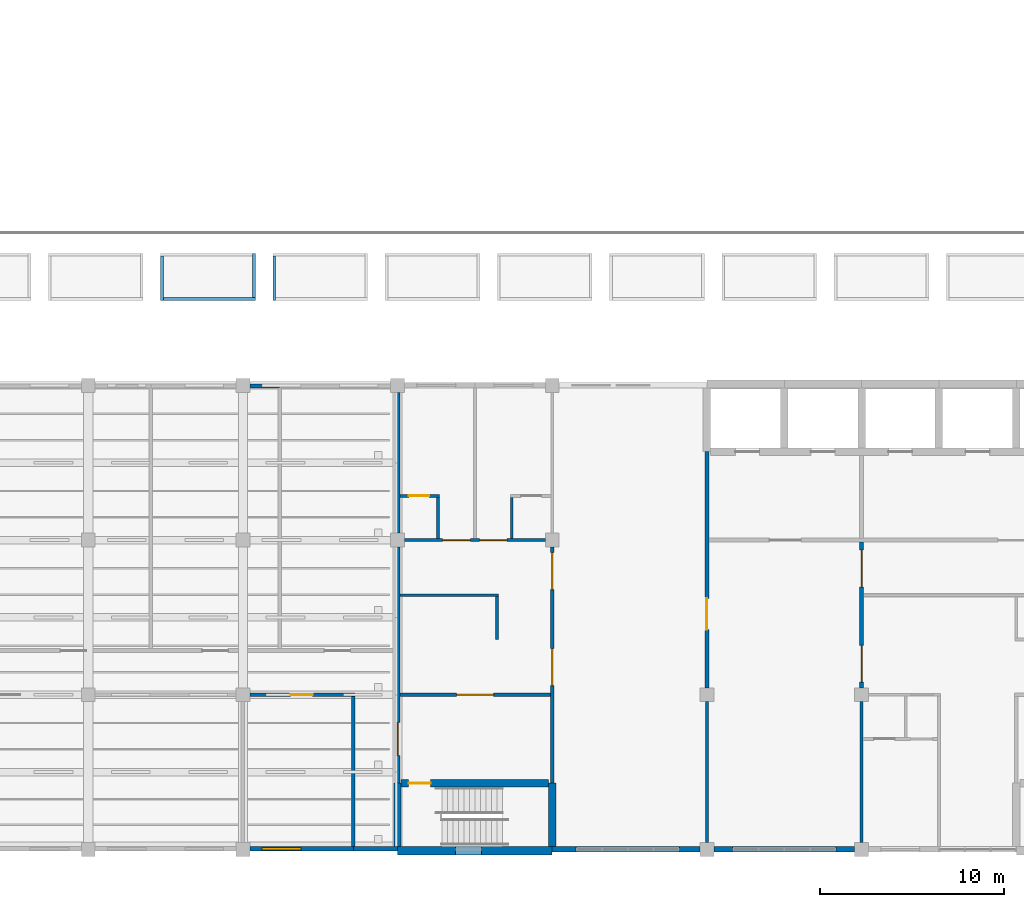
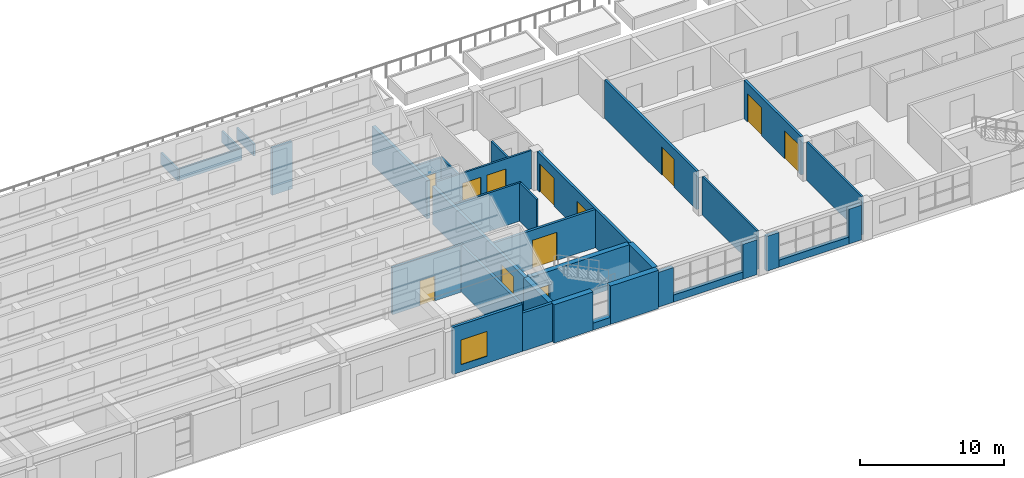
# One storey, part 38 of 61: 35 walls, 12 doors, 1 window, 13 openings.
"""IFC4 building model written with IfcOpenShell, lengths in metres."""

from ifc_helpers import new_model, si_unit, direction, frame, frame_2d, origin, place, context, subcontext, project, spatial, rectangle, extrude, material, layer, layer_set, type_object, element, fill, save


model = new_model("IFC4")

# Units and contexts
model_context = context("Model", 3, precision=1e-05, world=origin(), true_north=direction((0.0, 1.0)))
body_context = subcontext(model_context, "Body", "Model", "MODEL_VIEW")
ifc_project = project(units=[si_unit("LENGTHUNIT", "METRE"), si_unit("AREAUNIT", "SQUARE_METRE"), si_unit("VOLUMEUNIT", "CUBIC_METRE"), si_unit("PLANEANGLEUNIT", "RADIAN"), si_unit("MASSUNIT", "GRAM", prefix="KILO")], contexts=[model_context])

# Site, building, storey
site_placement = place(None, origin())
site = spatial("IfcSite", under=ifc_project, at=site_placement, CompositionType="ELEMENT")
building_placement = place(site_placement, origin())
building = spatial("IfcBuilding", under=site, at=building_placement, Name="Yavir Park General Hospital", CompositionType="ELEMENT")
storey_placement = place(building_placement, frame((0.0, 0.0, 15.300048828125)))
storey = spatial("IfcBuildingStorey", under=building, at=storey_placement, Name="L03", CompositionType="ELEMENT", Elevation=15.300048828125)

# Wall, opening, door
ifc_material_1 = material(Name="Concrete C30/37", Category="concrete")
ifc_layer_1 = layer(ifc_material_1, 0.25)
ifc_layer_set_1 = layer_set([ifc_layer_1], Name="Concrete C30/37")
wall_type_1 = type_object("IfcWallType", Name="Compartment fire wall 250, REI 150", PredefinedType="SOLIDWALL", material=ifc_layer_set_1)
wall_1_placement = place(storey_placement, frame((100.800048828125, 3.60009765625, 0.0), z_axis=(0.0, 0.0, 1.0), x_axis=(0.0, 1.0, 0.0)))
wall_1 = element("IfcWall", 1, at=wall_1_placement, inside=storey, type_object=wall_type_1, Name="FW25 L03-244", PredefinedType="SOLIDWALL", context=body_context, shape_type="SweptSolid", body=[
    extrude(rectangle(XDim=12.824951171875, YDim=0.25, at=frame_2d((6.41259765625, 0.0))), origin(), (0.0, 0.0, 1.0), 3.260009765625),
])
opening_1_placement = place(wall_1_placement, frame((1.5, 0.0, 0.0)))
opening_1 = element("IfcOpeningElement", 2, at=opening_1_placement, cuts=wall_1, Name="Opening L03.D159", PredefinedType="OPENING", context=body_context, shape_type="SweptSolid", body=[
    extrude(rectangle(XDim=1.800048828125, YDim=2.39990234375, at=frame_2d((0.89990234375, 1.199951171875))), frame((0.0, 0.135009765625, 0.0), z_axis=(0.0, -1.0, 0.0), x_axis=(1.0, 0.0, 0.0)), (0.0, 0.0, 1.0), 0.27001953125),
])
ifc_material_2 = material(Name="Steel frame, fire-resisting leaves with vision panels", Category="steel")
door_type_1 = type_object("IfcDoorType", Name="Double fire door with vision panels 1800 x 2400, EI 60", OperationType="DOUBLE_DOOR_SINGLE_SWING", PredefinedType="DOOR", material=ifc_material_2)
door_1_placement = place(opening_1_placement, origin())
door_1 = element("IfcDoor", 3, at=door_1_placement, inside=storey, type_object=door_type_1, Name="L03.D159", OperationType="SINGLE_SWING_RIGHT", OverallHeight=2.39990234375, OverallWidth=1.800048828125, PredefinedType="DOOR", context=body_context, shape_type="SweptSolid", body=[
    extrude(rectangle(XDim=1.800048828125, YDim=2.39990234375, at=frame_2d((0.89990234375, 1.199951171875))), frame((0.0, 0.030029296875, 0.0), z_axis=(0.0, -1.0, 0.0), x_axis=(1.0, 0.0, 0.0)), (0.0, 0.0, 1.0), 0.06005859375),
])
fill(opening_1, door_1)

# Wall
wall_2_placement = place(storey_placement, frame((100.800048828125, 17.175048828125, 0.0), z_axis=(0.0, 0.0, 1.0), x_axis=(0.0, 1.0, 0.0)))
element("IfcWall", 4, at=wall_2_placement, inside=storey, type_object=wall_type_1, Name="FW25 L03-245", PredefinedType="SOLIDWALL", context=body_context, shape_type="SweptSolid", body=[
    extrude(rectangle(XDim=7.64990234375, YDim=0.25, at=frame_2d((3.824951171875, 0.0))), origin(), (0.0, 0.0, 1.0), 3.260009765625),
])

# Wall, opening, door
ifc_material_3 = material(Name="Double gypsum board fire partition on steel studs", Category="steel")
ifc_layer_2 = layer(ifc_material_3, 0.199951171875)
ifc_layer_set_2 = layer_set([ifc_layer_2], Name="Double gypsum board fire partition on steel studs")
wall_type_2 = type_object("IfcWallType", Name="Fire-rated partition 200, EI 60", PredefinedType="PARTITIONING", material=ifc_layer_set_2)
wall_3_placement = place(storey_placement, frame((92.77490234375, 8.39990234375, 0.0), z_axis=(0.0, 0.0, 1.0), x_axis=(1.0, 0.0, 0.0)))
wall_3 = element("IfcWall", 5, at=wall_3_placement, inside=storey, type_object=wall_type_2, Name="FP20 L03-022", PredefinedType="PARTITIONING", context=body_context, shape_type="SweptSolid", body=[
    extrude(rectangle(XDim=5.72509765625, YDim=0.199951171875, at=frame_2d((2.862548828125, 0.0))), origin(), (0.0, 0.0, 1.0), 4.0),
])
opening_2_placement = place(wall_3_placement, frame((2.21240234375, 0.0, 0.0)))
opening_2 = element("IfcOpeningElement", 6, at=opening_2_placement, cuts=wall_3, Name="Opening L03.D030", PredefinedType="OPENING", context=body_context, shape_type="SweptSolid", body=[
    extrude(rectangle(XDim=1.199951171875, YDim=2.10009765625, at=frame_2d((0.60009765625, 1.050048828125))), frame((0.0, 0.10986328125, 0.0), z_axis=(0.0, -1.0, 0.0), x_axis=(1.0, 0.0, 0.0)), (0.0, 0.0, 1.0), 0.219970703125),
])
ifc_material_4 = material(Name="Steel frame, fire-resisting timber leaf", Category="steel")
door_type_2 = type_object("IfcDoorType", Name="Fire door 1200 x 2100, EI 60", OperationType="SINGLE_SWING_LEFT", PredefinedType="DOOR", material=ifc_material_4)
door_2_placement = place(opening_2_placement, origin())
door_2 = element("IfcDoor", 7, at=door_2_placement, inside=storey, type_object=door_type_2, Name="L03.D030", OperationType="SINGLE_SWING_RIGHT", OverallHeight=2.10009765625, OverallWidth=1.199951171875, PredefinedType="DOOR", context=body_context, shape_type="SweptSolid", body=[
    extrude(rectangle(XDim=1.199951171875, YDim=2.10009765625, at=frame_2d((0.60009765625, 1.050048828125))), frame((0.0, 0.02490234375, 0.0), z_axis=(0.0, -1.0, 0.0), x_axis=(1.0, 0.0, 0.0)), (0.0, 0.0, 1.0), 0.050048828125),
])
fill(opening_2, door_2)

wall_4_placement = place(storey_placement, frame((100.925048828125, 8.39990234375, 0.0), z_axis=(0.0, 0.0, 1.0), x_axis=(1.0, 0.0, 0.0)))
wall_4 = element("IfcWall", 8, at=wall_4_placement, inside=storey, type_object=wall_type_2, Name="FP20 L03-023", PredefinedType="PARTITIONING", context=body_context, shape_type="SweptSolid", body=[
    extrude(rectangle(XDim=8.175048828125, YDim=0.199951171875, at=frame_2d((4.08740234375, 0.0))), origin(), (0.0, 0.0, 1.0), 3.260009765625),
])
opening_3_placement = place(wall_4_placement, frame((3.08740234375, 0.0, 0.0)))
opening_3 = element("IfcOpeningElement", 9, at=opening_3_placement, cuts=wall_4, Name="Opening L03.D031", PredefinedType="OPENING", context=body_context, shape_type="SweptSolid", body=[
    extrude(rectangle(XDim=2.0, YDim=2.39990234375, at=frame_2d((1.0, 1.199951171875))), frame((0.0, 0.10986328125, 0.0), z_axis=(0.0, -1.0, 0.0), x_axis=(1.0, 0.0, 0.0)), (0.0, 0.0, 1.0), 0.219970703125),
])
ifc_material_5 = material(Name="Steel frame, fire-resisting leaves with vision panels", Category="steel")
door_type_3 = type_object("IfcDoorType", Name="Double fire door with vision panels 2000 x 2400, EI 60", OperationType="DOUBLE_DOOR_SINGLE_SWING", PredefinedType="DOOR", material=ifc_material_5)
door_3_placement = place(opening_3_placement, origin())
door_3 = element("IfcDoor", 10, at=door_3_placement, inside=storey, type_object=door_type_3, Name="L03.D031", OperationType="SINGLE_SWING_LEFT", OverallHeight=2.39990234375, OverallWidth=2.0, PredefinedType="DOOR", context=body_context, shape_type="SweptSolid", body=[
    extrude(rectangle(XDim=2.0, YDim=2.39990234375, at=frame_2d((1.0, 1.199951171875))), frame((0.0, 0.030029296875, 0.0), z_axis=(0.0, -1.0, 0.0), x_axis=(1.0, 0.0, 0.0)), (0.0, 0.0, 1.0), 0.06005859375),
])
fill(opening_3, door_3)

# Wall
wall_5_placement = place(storey_placement, frame((98.39990234375, 0.14990234375, 0.0), z_axis=(0.0, 0.0, 1.0), x_axis=(0.0, 1.0, 0.0)))
element("IfcWall", 11, at=wall_5_placement, inside=storey, type_object=wall_type_2, Name="FP20 L03-242", PredefinedType="PARTITIONING", context=body_context, shape_type="SweptSolid", body=[
    extrude(rectangle(XDim=8.150146484375, YDim=0.199951171875, at=frame_2d((4.0751953125, 0.0))), origin(), (0.0, 0.0, 1.0), 4.0),
])

# Wall, openings, doors
wall_6_placement = place(storey_placement, frame((109.199951171875, 3.60009765625, 0.0), z_axis=(0.0, 0.0, 1.0), x_axis=(0.0, 1.0, 0.0)))
wall_6 = element("IfcWall", 12, at=wall_6_placement, inside=storey, type_object=wall_type_2, Name="FP20 L03-251", PredefinedType="PARTITIONING", context=body_context, shape_type="SweptSolid", body=[
    extrude(rectangle(XDim=12.824951171875, YDim=0.199951171875, at=frame_2d((6.41259765625, 0.0))), origin(), (0.0, 0.0, 1.0), 3.260009765625),
])
opening_4_placement = place(wall_6_placement, frame((5.300048828125, 0.0, 0.0)))
opening_4 = element("IfcOpeningElement", 13, at=opening_4_placement, cuts=wall_6, Name="Opening L03.D160", PredefinedType="OPENING", context=body_context, shape_type="SweptSolid", body=[
    extrude(rectangle(XDim=2.0, YDim=2.39990234375, at=frame_2d((1.0, 1.199951171875))), frame((0.0, 0.10986328125, 0.0), z_axis=(0.0, -1.0, 0.0), x_axis=(1.0, 0.0, 0.0)), (0.0, 0.0, 1.0), 0.219970703125),
])
opening_5_placement = place(wall_6_placement, frame((10.512451171875, 0.0, 0.0)))
opening_5 = element("IfcOpeningElement", 14, at=opening_5_placement, cuts=wall_6, Name="Opening L03.D161", PredefinedType="OPENING", context=body_context, shape_type="SweptSolid", body=[
    extrude(rectangle(XDim=2.0, YDim=2.39990234375, at=frame_2d((1.0, 1.199951171875))), frame((0.0, 0.10986328125, 0.0), z_axis=(0.0, -1.0, 0.0), x_axis=(1.0, 0.0, 0.0)), (0.0, 0.0, 1.0), 0.219970703125),
])
door_4_placement = place(opening_4_placement, origin())
door_4 = element("IfcDoor", 15, at=door_4_placement, inside=storey, type_object=door_type_3, Name="L03.D160", OperationType="SINGLE_SWING_RIGHT", OverallHeight=2.39990234375, OverallWidth=2.0, PredefinedType="DOOR", context=body_context, shape_type="SweptSolid", body=[
    extrude(rectangle(XDim=2.0, YDim=2.39990234375, at=frame_2d((1.0, 1.199951171875))), frame((0.0, 0.030029296875, 0.0), z_axis=(0.0, -1.0, 0.0), x_axis=(1.0, 0.0, 0.0)), (0.0, 0.0, 1.0), 0.06005859375),
])
fill(opening_4, door_4)
door_5_placement = place(opening_5_placement, origin())
door_5 = element("IfcDoor", 16, at=door_5_placement, inside=storey, type_object=door_type_3, Name="L03.D161", OperationType="SINGLE_SWING_RIGHT", OverallHeight=2.39990234375, OverallWidth=2.0, PredefinedType="DOOR", context=body_context, shape_type="SweptSolid", body=[
    extrude(rectangle(XDim=2.0, YDim=2.39990234375, at=frame_2d((1.0, 1.199951171875))), frame((0.0, 0.030029296875, 0.0), z_axis=(0.0, -1.0, 0.0), x_axis=(1.0, 0.0, 0.0)), (0.0, 0.0, 1.0), 0.06005859375),
])
fill(opening_5, door_5)

# Wall, opening, door
wall_7_placement = place(storey_placement, frame((117.60009765625, 8.77490234375, 0.0), z_axis=(0.0, 0.0, 1.0), x_axis=(0.0, 1.0, 0.0)))
wall_7 = element("IfcWall", 17, at=wall_7_placement, inside=storey, type_object=wall_type_2, Name="FP20 L03-254", PredefinedType="PARTITIONING", context=body_context, shape_type="SweptSolid", body=[
    extrude(rectangle(XDim=12.8251953125, YDim=0.199951171875, at=frame_2d((6.41259765625, 0.0))), origin(), (0.0, 0.0, 1.0), 3.260009765625),
])
opening_6_placement = place(wall_7_placement, frame((3.16259765625, 0.0, 0.0)))
opening_6 = element("IfcOpeningElement", 18, at=opening_6_placement, cuts=wall_7, Name="Opening L03.D162", PredefinedType="OPENING", context=body_context, shape_type="SweptSolid", body=[
    extrude(rectangle(XDim=1.699951171875, YDim=2.39990234375, at=frame_2d((0.85009765625, 1.199951171875))), frame((0.0, 0.10986328125, 0.0), z_axis=(0.0, -1.0, 0.0), x_axis=(1.0, 0.0, 0.0)), (0.0, 0.0, 1.0), 0.219970703125),
])
ifc_material_6 = material(Name="Steel frame, fire-resisting timber leaves", Category="steel")
door_type_4 = type_object("IfcDoorType", Name="Double fire door 1700 x 2400, EI 60", OperationType="DOUBLE_DOOR_SINGLE_SWING", PredefinedType="DOOR", material=ifc_material_6)
door_6_placement = place(opening_6_placement, origin())
door_6 = element("IfcDoor", 19, at=door_6_placement, inside=storey, type_object=door_type_4, Name="L03.D162", OperationType="SINGLE_SWING_RIGHT", OverallHeight=2.39990234375, OverallWidth=1.699951171875, PredefinedType="DOOR", context=body_context, shape_type="SweptSolid", body=[
    extrude(rectangle(XDim=1.699951171875, YDim=2.39990234375, at=frame_2d((0.85009765625, 1.199951171875))), frame((0.0, 0.02490234375, 0.0), z_axis=(0.0, -1.0, 0.0), x_axis=(1.0, 0.0, 0.0)), (0.0, 0.0, 1.0), 0.050048828125),
])
fill(opening_6, door_6)

# Wall, openings, doors
wall_8_placement = place(storey_placement, frame((126.0, 8.77490234375, 0.0), z_axis=(0.0, 0.0, 1.0), x_axis=(0.0, 1.0, 0.0)))
wall_8 = element("IfcWall", 20, at=wall_8_placement, inside=storey, type_object=wall_type_2, Name="FP20 L03-258", PredefinedType="PARTITIONING", context=body_context, shape_type="SweptSolid", body=[
    extrude(rectangle(XDim=7.925048828125, YDim=0.199951171875, at=frame_2d((3.96240234375, 0.0))), origin(), (0.0, 0.0, 1.0), 3.260009765625),
])
opening_7_placement = place(wall_8_placement, frame((0.3125, 0.0, 0.0)))
opening_7 = element("IfcOpeningElement", 21, at=opening_7_placement, cuts=wall_8, Name="Opening L03.D163", PredefinedType="OPENING", context=body_context, shape_type="SweptSolid", body=[
    extrude(rectangle(XDim=2.0, YDim=2.39990234375, at=frame_2d((1.0, 1.199951171875))), frame((0.0, 0.10986328125, 0.0), z_axis=(0.0, -1.0, 0.0), x_axis=(1.0, 0.0, 0.0)), (0.0, 0.0, 1.0), 0.219970703125),
])
opening_8_placement = place(wall_8_placement, frame((5.47509765625, 0.0, 0.0)))
opening_8 = element("IfcOpeningElement", 22, at=opening_8_placement, cuts=wall_8, Name="Opening L03.D164", PredefinedType="OPENING", context=body_context, shape_type="SweptSolid", body=[
    extrude(rectangle(XDim=2.0, YDim=2.39990234375, at=frame_2d((1.0, 1.199951171875))), frame((0.0, 0.10986328125, 0.0), z_axis=(0.0, -1.0, 0.0), x_axis=(1.0, 0.0, 0.0)), (0.0, 0.0, 1.0), 0.219970703125),
])
door_7_placement = place(opening_7_placement, origin())
door_7 = element("IfcDoor", 23, at=door_7_placement, inside=storey, type_object=door_type_3, Name="L03.D163", OperationType="SINGLE_SWING_LEFT", OverallHeight=2.39990234375, OverallWidth=2.0, PredefinedType="DOOR", context=body_context, shape_type="SweptSolid", body=[
    extrude(rectangle(XDim=2.0, YDim=2.39990234375, at=frame_2d((1.0, 1.199951171875))), frame((0.0, 0.030029296875, 0.0), z_axis=(0.0, -1.0, 0.0), x_axis=(1.0, 0.0, 0.0)), (0.0, 0.0, 1.0), 0.06005859375),
])
fill(opening_7, door_7)
door_8_placement = place(opening_8_placement, origin())
door_8 = element("IfcDoor", 24, at=door_8_placement, inside=storey, type_object=door_type_3, Name="L03.D164", OperationType="SINGLE_SWING_LEFT", OverallHeight=2.39990234375, OverallWidth=2.0, PredefinedType="DOOR", context=body_context, shape_type="SweptSolid", body=[
    extrude(rectangle(XDim=2.0, YDim=2.39990234375, at=frame_2d((1.0, 1.199951171875))), frame((0.0, 0.030029296875, 0.0), z_axis=(0.0, -1.0, 0.0), x_axis=(1.0, 0.0, 0.0)), (0.0, 0.0, 1.0), 0.06005859375),
])
fill(opening_8, door_8)

# Wall
ifc_material_7 = material(Name="Gypsum board partition on steel studs", Category="steel")
ifc_layer_3 = layer(ifc_material_7, 0.14990234375)
ifc_layer_set_3 = layer_set([ifc_layer_3], Name="Gypsum board partition on steel studs")
wall_type_3 = type_object("IfcWallType", Name="Gypsum board partition 150", PredefinedType="PARTITIONING", material=ifc_layer_set_3)
wall_9_placement = place(storey_placement, frame((100.925048828125, 13.800048828125, 0.0), z_axis=(0.0, 0.0, 1.0), x_axis=(1.0, 0.0, 0.0)))
element("IfcWall", 25, at=wall_9_placement, inside=storey, type_object=wall_type_3, Name="P15 L03-037", PredefinedType="PARTITIONING", context=body_context, shape_type="SweptSolid", body=[
    extrude(rectangle(XDim=5.349853515625, YDim=0.14990234375, at=frame_2d((2.6748046875, 0.0))), origin(), (0.0, 0.0, 1.0), 3.260009765625),
])

# Wall, openings, doors
wall_10_placement = place(storey_placement, frame((101.175048828125, 16.800048828125, 0.0), z_axis=(0.0, 0.0, 1.0), x_axis=(1.0, 0.0, 0.0)))
wall_10 = element("IfcWall", 26, at=wall_10_placement, inside=storey, type_object=wall_type_3, Name="P15 L03-045", PredefinedType="PARTITIONING", context=body_context, shape_type="SweptSolid", body=[
    extrude(rectangle(XDim=7.64990234375, YDim=0.14990234375, at=frame_2d((3.824951171875, 0.0))), origin(), (0.0, 0.0, 1.0), 3.260009765625),
])
opening_9_placement = place(wall_10_placement, frame((2.074951171875, 0.0, 0.0)))
opening_9 = element("IfcOpeningElement", 27, at=opening_9_placement, cuts=wall_10, Name="Opening L03.D057", PredefinedType="OPENING", context=body_context, shape_type="SweptSolid", body=[
    extrude(rectangle(XDim=1.5, YDim=2.39990234375, at=frame_2d((0.75, 1.199951171875))), frame((0.0, 0.0849609375, 0.0), z_axis=(0.0, -1.0, 0.0), x_axis=(1.0, 0.0, 0.0)), (0.0, 0.0, 1.0), 0.169921875),
])
opening_10_placement = place(wall_10_placement, frame((4.074951171875, 0.0, 0.0)))
opening_10 = element("IfcOpeningElement", 28, at=opening_10_placement, cuts=wall_10, Name="Opening L03.D058", PredefinedType="OPENING", context=body_context, shape_type="SweptSolid", body=[
    extrude(rectangle(XDim=1.5, YDim=2.39990234375, at=frame_2d((0.75, 1.199951171875))), frame((0.0, 0.0849609375, 0.0), z_axis=(0.0, -1.0, 0.0), x_axis=(1.0, 0.0, 0.0)), (0.0, 0.0, 1.0), 0.169921875),
])
ifc_material_8 = material(Name="Solid-core timber leaves, push plates, kick plates", Category="wood")
door_type_5 = type_object("IfcDoorType", Name="Bed door, unequal leaves 1500 x 2400", OperationType="DOUBLE_DOOR_SINGLE_SWING", PredefinedType="DOOR", material=ifc_material_8)
door_9_placement = place(opening_9_placement, origin())
door_9 = element("IfcDoor", 29, at=door_9_placement, inside=storey, type_object=door_type_5, Name="L03.D057", OperationType="SINGLE_SWING_RIGHT", OverallHeight=2.39990234375, OverallWidth=1.5, PredefinedType="DOOR", context=body_context, shape_type="SweptSolid", body=[
    extrude(rectangle(XDim=1.5, YDim=2.39990234375, at=frame_2d((0.75, 1.199951171875))), frame((0.0, 0.030029296875, 0.0), z_axis=(0.0, -1.0, 0.0), x_axis=(1.0, 0.0, 0.0)), (0.0, 0.0, 1.0), 0.06005859375),
])
fill(opening_9, door_9)
door_10_placement = place(opening_10_placement, origin())
door_10 = element("IfcDoor", 30, at=door_10_placement, inside=storey, type_object=door_type_5, Name="L03.D058", OperationType="SINGLE_SWING_RIGHT", OverallHeight=2.39990234375, OverallWidth=1.5, PredefinedType="DOOR", context=body_context, shape_type="SweptSolid", body=[
    extrude(rectangle(XDim=1.5, YDim=2.39990234375, at=frame_2d((0.75, 1.199951171875))), frame((0.0, 0.030029296875, 0.0), z_axis=(0.0, -1.0, 0.0), x_axis=(1.0, 0.0, 0.0)), (0.0, 0.0, 1.0), 0.06005859375),
])
fill(opening_10, door_10)

# Wall, opening, door
wall_11_placement = place(storey_placement, frame((100.925048828125, 19.199951171875, 0.0), z_axis=(0.0, 0.0, 1.0), x_axis=(1.0, 0.0, 0.0)))
wall_11 = element("IfcWall", 31, at=wall_11_placement, inside=storey, type_object=wall_type_3, Name="P15 L03-053", PredefinedType="PARTITIONING", context=body_context, shape_type="SweptSolid", body=[
    extrude(rectangle(XDim=2.14990234375, YDim=0.14990234375, at=frame_2d((1.074951171875, 0.0))), origin(), (0.0, 0.0, 1.0), 3.260009765625),
])
opening_11_placement = place(wall_11_placement, frame((0.487548828125, 0.0, 0.0)))
opening_11 = element("IfcOpeningElement", 32, at=opening_11_placement, cuts=wall_11, Name="Opening L03.D066", PredefinedType="OPENING", context=body_context, shape_type="SweptSolid", body=[
    extrude(rectangle(XDim=1.10009765625, YDim=2.10009765625, at=frame_2d((0.550048828125, 1.050048828125))), frame((0.0, 0.0849609375, 0.0), z_axis=(0.0, -1.0, 0.0), x_axis=(1.0, 0.0, 0.0)), (0.0, 0.0, 1.0), 0.169921875),
])
ifc_material_9 = material(Name="Hollow metal frame, solid-core timber leaf", Category="wood")
door_type_6 = type_object("IfcDoorType", Name="Single swing door 1100 x 2100", OperationType="SINGLE_SWING_LEFT", PredefinedType="DOOR", material=ifc_material_9)
door_11_placement = place(opening_11_placement, origin())
door_11 = element("IfcDoor", 33, at=door_11_placement, inside=storey, type_object=door_type_6, Name="L03.D066", OperationType="SINGLE_SWING_RIGHT", OverallHeight=2.10009765625, OverallWidth=1.10009765625, PredefinedType="DOOR", context=body_context, shape_type="SweptSolid", body=[
    extrude(rectangle(XDim=1.10009765625, YDim=2.10009765625, at=frame_2d((0.550048828125, 1.050048828125))), frame((0.0, 0.02490234375, 0.0), z_axis=(0.0, -1.0, 0.0), x_axis=(1.0, 0.0, 0.0)), (0.0, 0.0, 1.0), 0.050048828125),
])
fill(opening_11, door_11)

# Walls
wall_12_placement = place(storey_placement, frame((103.0, 16.875, 0.0), z_axis=(0.0, 0.0, 1.0), x_axis=(0.0, 1.0, 0.0)))
element("IfcWall", 34, at=wall_12_placement, inside=storey, type_object=wall_type_3, Name="P15 L03-246", PredefinedType="PARTITIONING", context=body_context, shape_type="SweptSolid", body=[
    extrude(rectangle(XDim=2.25, YDim=0.14990234375, at=frame_2d((1.125, 0.0))), origin(), (0.0, 0.0, 1.0), 3.260009765625),
])
wall_13_placement = place(storey_placement, frame((106.199951171875, 11.39990234375, 0.0), z_axis=(0.0, 0.0, 1.0), x_axis=(0.0, 1.0, 0.0)))
element("IfcWall", 35, at=wall_13_placement, inside=storey, type_object=wall_type_3, Name="P15 L03-248", PredefinedType="PARTITIONING", context=body_context, shape_type="SweptSolid", body=[
    extrude(rectangle(XDim=2.3251953125, YDim=0.14990234375, at=frame_2d((1.16259765625, 0.0))), origin(), (0.0, 0.0, 1.0), 3.260009765625),
])
wall_14_placement = place(storey_placement, frame((107.0, 16.875, 0.0), z_axis=(0.0, 0.0, 1.0), x_axis=(0.0, 1.0, 0.0)))
element("IfcWall", 36, at=wall_14_placement, inside=storey, type_object=wall_type_3, Name="P15 L03-249", PredefinedType="PARTITIONING", context=body_context, shape_type="SweptSolid", body=[
    extrude(rectangle(XDim=2.25, YDim=0.14990234375, at=frame_2d((1.125, 0.0))), origin(), (0.0, 0.0, 1.0), 3.260009765625),
])
for number, where, z_axis, x_axis, name in (
    (37, (117.60009765625, 0.375, 0.0), (0.0, 0.0, 1.0), (0.0, 1.0, 0.0), "P15 L03-253"),
    (38, (126.0, 0.375, 0.0), (0.0, 0.0, 1.0), (0.0, 1.0, 0.0), "P15 L03-257"),
):
    element("IfcWall", number, at=place(storey_placement, frame(where, z_axis=z_axis, x_axis=x_axis)), inside=storey, type_object=wall_type_3, Name=name, PredefinedType="PARTITIONING", context=body_context, shape_type="SweptSolid", body=[
        extrude(rectangle(XDim=7.64990234375, YDim=0.14990234375, at=frame_2d((3.824951171875, 0.0))), origin(), (0.0, 0.0, 1.0), 3.260009765625),
    ])

# Wall, opening, window
ifc_material_10 = material(Name="Insulated sheet steel panels on a Steel S355 subframe", Category="steel")
ifc_layer_4 = layer(ifc_material_10, 0.22509765625)
ifc_layer_set_4 = layer_set([ifc_layer_4], Name="Insulated sheet steel panels on a Steel S355 subframe")
wall_type_4 = type_object("IfcWallType", Name="Louvred plant wall 225, E 30", PredefinedType="SOLIDWALL", material=ifc_layer_set_4)
wall_15_placement = place(storey_placement, frame((92.77490234375, 0.03759765625, 0.0), z_axis=(0.0, 0.0, 1.0), x_axis=(1.0, 0.0, 0.0)))
wall_15 = element("IfcWall", 39, at=wall_15_placement, inside=storey, type_object=wall_type_4, Name="XW4 L03-023", PredefinedType="SOLIDWALL", context=body_context, shape_type="SweptSolid", body=[
    extrude(rectangle(XDim=5.625, YDim=0.22509765625, at=frame_2d((2.8125, 0.0))), origin(), (0.0, 0.0, 1.0), 4.0),
])
opening_12_placement = place(wall_15_placement, frame((0.675048828125, 0.0, 0.60009765625)))
opening_12 = element("IfcOpeningElement", 40, at=opening_12_placement, cuts=wall_15, Name="Opening LV2", PredefinedType="OPENING", context=body_context, shape_type="SweptSolid", body=[
    extrude(rectangle(XDim=2.10009765625, YDim=2.10009765625, at=frame_2d((1.050048828125, 1.050048828125))), frame((0.0, 0.12255859375, 0.0), z_axis=(0.0, -1.0, 0.0), x_axis=(1.0, 0.0, 0.0)), (0.0, 0.0, 1.0), 0.2451171875),
])
ifc_material_11 = material(Name="Anodised aluminium louvre blades in a deep frame", Category="aluminium")
window_type = type_object("IfcWindowType", Name="Tall plant louvre 2100 x 2100", PartitioningType="SINGLE_PANEL", PredefinedType="WINDOW", material=ifc_material_11)
window_placement = place(opening_12_placement, origin())
window = element("IfcWindow", 41, at=window_placement, inside=storey, type_object=window_type, Name="LV2 L03-014", OverallHeight=2.10009765625, OverallWidth=2.10009765625, PartitioningType="SINGLE_PANEL", PredefinedType="WINDOW", context=body_context, shape_type="SweptSolid", body=[
    extrude(rectangle(XDim=2.10009765625, YDim=2.10009765625, at=frame_2d((1.050048828125, 1.050048828125))), frame((0.0, 0.074951171875, 0.0), z_axis=(0.0, -1.0, 0.0), x_axis=(1.0, 0.0, 0.0)), (0.0, 0.0, 1.0), 0.14990234375),
])
fill(opening_12, window)

# Walls
wall_16_placement = place(storey_placement, frame((98.39990234375, 0.03759765625, 0.0), z_axis=(0.0, 0.0, 1.0), x_axis=(1.0, 0.0, 0.0)))
element("IfcWall", 42, at=wall_16_placement, inside=storey, type_object=wall_type_4, Name="XW4 L03-024", PredefinedType="SOLIDWALL", context=body_context, shape_type="SweptSolid", body=[
    extrude(rectangle(XDim=2.400146484375, YDim=0.22509765625, at=frame_2d((1.2001953125, 0.0))), origin(), (0.0, 0.0, 1.0), 3.260009765625),
])
wall_17_placement = place(storey_placement, frame((92.77490234375, 25.16259765625, 0.0), z_axis=(0.0, 0.0, 1.0), x_axis=(1.0, 0.0, 0.0)))
element("IfcWall", 43, at=wall_17_placement, inside=storey, type_object=wall_type_4, Name="XW4 L03-059", PredefinedType="SOLIDWALL", context=body_context, shape_type="SweptSolid", body=[
    extrude(rectangle(XDim=1.625, YDim=0.22509765625, at=frame_2d((0.8125, 0.0))), origin(), (0.0, 0.0, 1.0), 4.0),
])
ifc_material_12 = material(Name="Autoclaved aerated block, mineral wool and ochre mineral render")
ifc_layer_5 = layer(ifc_material_12, 0.300048828125)
ifc_layer_set_5 = layer_set([ifc_layer_5], Name="Autoclaved aerated block, mineral wool and ochre mineral render")
wall_type_5 = type_object("IfcWallType", Name="Ochre render ward wall 300, E 30", PredefinedType="SOLIDWALL", material=ifc_layer_set_5)
wall_18_placement = place(storey_placement, frame((109.199951171875, 0.0, 0.0), z_axis=(0.0, 0.0, 1.0), x_axis=(1.0, 0.0, 0.0)))
element("IfcWall", 44, at=wall_18_placement, inside=storey, type_object=wall_type_5, Name="XW7 L03-028", PredefinedType="SOLIDWALL", context=body_context, shape_type="SweptSolid", body=[
    extrude(rectangle(XDim=1.300048828125, YDim=0.300048828125, at=frame_2d((0.64990234375, 0.0))), origin(), (0.0, 0.0, 1.0), 2.9599609375),
])
wall_19_placement = place(storey_placement, frame((116.10009765625, 0.0, 0.0), z_axis=(0.0, 0.0, 1.0), x_axis=(1.0, 0.0, 0.0)))
element("IfcWall", 45, at=wall_19_placement, inside=storey, type_object=wall_type_5, Name="XW7 L03-029", PredefinedType="SOLIDWALL", context=body_context, shape_type="SweptSolid", body=[
    extrude(rectangle(XDim=1.125, YDim=0.300048828125, at=frame_2d((0.5625, 0.0))), origin(), (0.0, 0.0, 1.0), 2.9599609375),
])
wall_20_placement = place(storey_placement, frame((110.5, 0.0, 0.0), z_axis=(0.0, 0.0, 1.0), x_axis=(1.0, 0.0, 0.0)))
element("IfcWall", 46, at=wall_20_placement, inside=storey, type_object=wall_type_5, Name="XW7 L03-030", PredefinedType="SOLIDWALL", context=body_context, shape_type="SweptSolid", body=[
    extrude(rectangle(XDim=5.60009765625, YDim=0.300048828125, at=frame_2d((2.800048828125, 0.0))), origin(), (0.0, 0.0, 1.0), 0.599853515625),
])
for number, where, z_axis, x_axis, name in (
    (47, (117.97509765625, 0.0, 0.0), (0.0, 0.0, 1.0), (1.0, 0.0, 0.0), "XW7 L03-031"),
    (48, (124.60009765625, 0.0, 0.0), (0.0, 0.0, 1.0), (1.0, 0.0, 0.0), "XW7 L03-032"),
):
    element("IfcWall", number, at=place(storey_placement, frame(where, z_axis=z_axis, x_axis=x_axis)), inside=storey, type_object=wall_type_5, Name=name, PredefinedType="SOLIDWALL", context=body_context, shape_type="SweptSolid", body=[
        extrude(rectangle(XDim=1.02490234375, YDim=0.300048828125, at=frame_2d((0.512451171875, 0.0))), origin(), (0.0, 0.0, 1.0), 2.9599609375),
    ])
wall_21_placement = place(storey_placement, frame((119.0, 0.0, 0.0), z_axis=(0.0, 0.0, 1.0), x_axis=(1.0, 0.0, 0.0)))
element("IfcWall", 49, at=wall_21_placement, inside=storey, type_object=wall_type_5, Name="XW7 L03-033", PredefinedType="SOLIDWALL", context=body_context, shape_type="SweptSolid", body=[
    extrude(rectangle(XDim=5.60009765625, YDim=0.300048828125, at=frame_2d((2.800048828125, 0.0))), origin(), (0.0, 0.0, 1.0), 0.599853515625),
])
ifc_material_13 = material(Name="Concrete C30/37", Category="concrete")
ifc_layer_6 = layer(ifc_material_13, 0.14990234375)
ifc_layer_set_6 = layer_set([ifc_layer_6], Name="Concrete C30/37")
wall_type_6 = type_object("IfcWallType", Name="Planter upstand 150 x 1000", PredefinedType="STANDARD", material=ifc_layer_set_6)
wall_22_placement = place(storey_placement, frame((88.079345703125, 29.89990234375, 0.0), z_axis=(0.0, 0.0, 1.0), x_axis=(1.0, 0.0, 0.0)))
element("IfcWall", 50, at=wall_22_placement, inside=storey, type_object=wall_type_6, Name="Planter upstand 11.1", PredefinedType="STANDARD", context=body_context, shape_type="SweptSolid", body=[
    extrude(rectangle(XDim=5.0, YDim=0.14990234375, at=frame_2d((2.5, 0.0))), origin(), (0.0, 0.0, 1.0), 1.0),
])
wall_23_placement = place(storey_placement, frame((93.00439453125, 29.97509765625, 0.0), z_axis=(0.0, 0.0, 1.0), x_axis=(0.0, 1.0, 0.0)))
element("IfcWall", 51, at=wall_23_placement, inside=storey, type_object=wall_type_6, Name="Planter upstand 11.2", PredefinedType="STANDARD", context=body_context, shape_type="SweptSolid", body=[
    extrude(rectangle(XDim=2.39990234375, YDim=0.14990234375, at=frame_2d((1.199951171875, 0.0))), origin(), (0.0, 0.0, 1.0), 1.0),
])
for number, where, z_axis, x_axis, name in (
    (52, (88.00439453125, 32.22509765625, 0.0), (0.0, 0.0, 1.0), (0.0, -1.0, 0.0), "Planter upstand 11.4"),
    (53, (94.10009765625, 32.22509765625, 0.0), (0.0, 0.0, 1.0), (0.0, -1.0, 0.0), "Planter upstand 12.4"),
):
    element("IfcWall", number, at=place(storey_placement, frame(where, z_axis=z_axis, x_axis=x_axis)), inside=storey, type_object=wall_type_6, Name=name, PredefinedType="STANDARD", context=body_context, shape_type="SweptSolid", body=[
        extrude(rectangle(XDim=2.400146484375, YDim=0.14990234375, at=frame_2d((1.2001953125, 0.0))), origin(), (0.0, 0.0, 1.0), 1.0),
    ])

# Wall, opening, door
ifc_material_14 = material(Name="Concrete C35/45", Category="concrete")
ifc_layer_7 = layer(ifc_material_14, 0.39990234375)
ifc_layer_set_7 = layer_set([ifc_layer_7], Name="Concrete C35/45")
wall_type_7 = type_object("IfcWallType", Name="Reinforced concrete core wall 400, REI 150", PredefinedType="SHEAR", material=ifc_layer_set_7)
wall_24_placement = place(storey_placement, frame((101.0, 3.60009765625, 0.0), z_axis=(0.0, 0.0, 1.0), x_axis=(1.0, 0.0, 0.0)))
wall_24 = element("IfcWall", 54, at=wall_24_placement, inside=storey, type_object=wall_type_7, Name="CW40 L03-003", PredefinedType="SHEAR", context=body_context, shape_type="SweptSolid", body=[
    extrude(rectangle(XDim=8.0, YDim=0.39990234375, at=frame_2d((4.0, 0.0))), origin(), (0.0, 0.0, 1.0), 3.260009765625),
])
opening_13_placement = place(wall_24_placement, frame((0.39990234375, 0.0, 0.0)))
opening_13 = element("IfcOpeningElement", 55, at=opening_13_placement, cuts=wall_24, Name="Opening L03.D003", PredefinedType="OPENING", context=body_context, shape_type="SweptSolid", body=[
    extrude(rectangle(XDim=1.199951171875, YDim=2.10009765625, at=frame_2d((0.60009765625, 1.050048828125))), frame((0.0, 0.2099609375, 0.0), z_axis=(0.0, -1.0, 0.0), x_axis=(1.0, 0.0, 0.0)), (0.0, 0.0, 1.0), 0.419921875),
])
door_12_placement = place(opening_13_placement, origin())
door_12 = element("IfcDoor", 56, at=door_12_placement, inside=storey, type_object=door_type_2, Name="L03.D003", OperationType="SINGLE_SWING_LEFT", OverallHeight=2.10009765625, OverallWidth=1.199951171875, PredefinedType="DOOR", context=body_context, shape_type="SweptSolid", body=[
    extrude(rectangle(XDim=1.199951171875, YDim=2.10009765625, at=frame_2d((0.60009765625, 1.050048828125))), frame((0.0, 0.02490234375, 0.0), z_axis=(0.0, -1.0, 0.0), x_axis=(1.0, 0.0, 0.0)), (0.0, 0.0, 1.0), 0.050048828125),
])
fill(opening_13, door_12)

# Walls
for number, where, z_axis, x_axis, name in (
    (57, (100.800048828125, 0.14990234375, 0.0), (0.0, 0.0, 1.0), (0.0, 1.0, 0.0), "CW40 L03-243"),
    (58, (109.199951171875, 0.14990234375, 0.0), (0.0, 0.0, 1.0), (0.0, 1.0, 0.0), "CW40 L03-250"),
):
    element("IfcWall", number, at=place(storey_placement, frame(where, z_axis=z_axis, x_axis=x_axis)), inside=storey, type_object=wall_type_7, Name=name, PredefinedType="SHEAR", context=body_context, shape_type="SweptSolid", body=[
        extrude(rectangle(XDim=3.4501953125, YDim=0.39990234375, at=frame_2d((1.72509765625, 0.0))), origin(), (0.0, 0.0, 1.0), 3.260009765625),
    ])
ifc_material_15 = material(Name="Concrete C30/37 precast panel with 150 mm mineral wool insulation", Category="concrete")
ifc_layer_8 = layer(ifc_material_15, 0.449951171875)
ifc_layer_set_8 = layer_set([ifc_layer_8], Name="Concrete C30/37 precast panel with 150 mm mineral wool insulation")
wall_type_8 = type_object("IfcWallType", Name="Stair enclosure wall 450, REI 150", PredefinedType="SOLIDWALL", material=ifc_layer_set_8)
wall_25_placement = place(storey_placement, frame((100.800048828125, -0.074951171875, 0.0), z_axis=(0.0, 0.0, 1.0), x_axis=(1.0, 0.0, 0.0)))
element("IfcWall", 59, at=wall_25_placement, inside=storey, type_object=wall_type_8, Name="XW6 L03-025", PredefinedType="SOLIDWALL", context=body_context, shape_type="SweptSolid", body=[
    extrude(rectangle(XDim=3.14990234375, YDim=0.449951171875, at=frame_2d((1.574951171875, 0.0))), origin(), (0.0, 0.0, 1.0), 3.260009765625),
])
wall_26_placement = place(storey_placement, frame((105.35009765625, -0.074951171875, 0.0), z_axis=(0.0, 0.0, 1.0), x_axis=(1.0, 0.0, 0.0)))
element("IfcWall", 60, at=wall_26_placement, inside=storey, type_object=wall_type_8, Name="XW6 L03-026", PredefinedType="SOLIDWALL", context=body_context, shape_type="SweptSolid", body=[
    extrude(rectangle(XDim=3.849853515625, YDim=0.449951171875, at=frame_2d((1.9248046875, 0.0))), origin(), (0.0, 0.0, 1.0), 3.260009765625),
])
wall_27_placement = place(storey_placement, frame((103.949951171875, -0.074951171875, 0.0), z_axis=(0.0, 0.0, 1.0), x_axis=(1.0, 0.0, 0.0)))
element("IfcWall", 61, at=wall_27_placement, inside=storey, type_object=wall_type_8, Name="XW6 L03-027", PredefinedType="SOLIDWALL", context=body_context, shape_type="SweptSolid", body=[
    extrude(rectangle(XDim=1.400146484375, YDim=0.449951171875, at=frame_2d((0.7001953125, 0.0))), origin(), (0.0, 0.0, 1.0), 0.599853515625),
])

save(model, "model.ifc")
